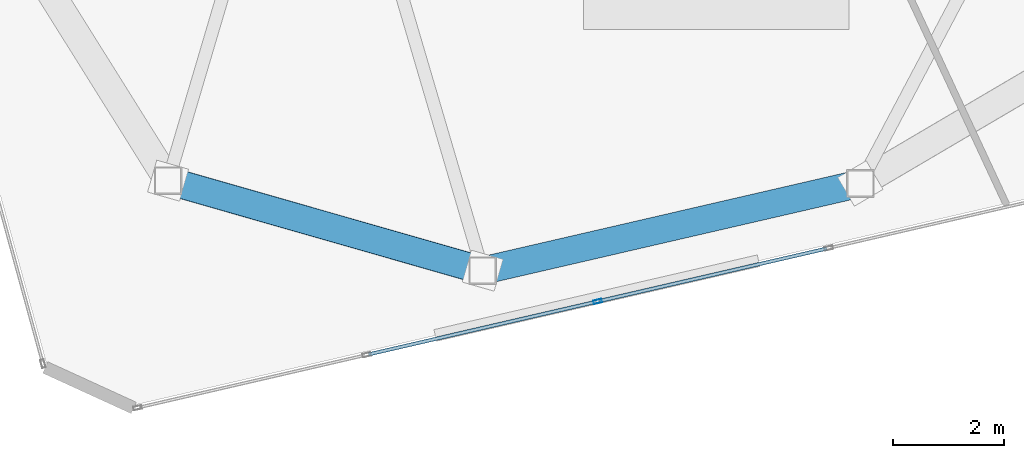
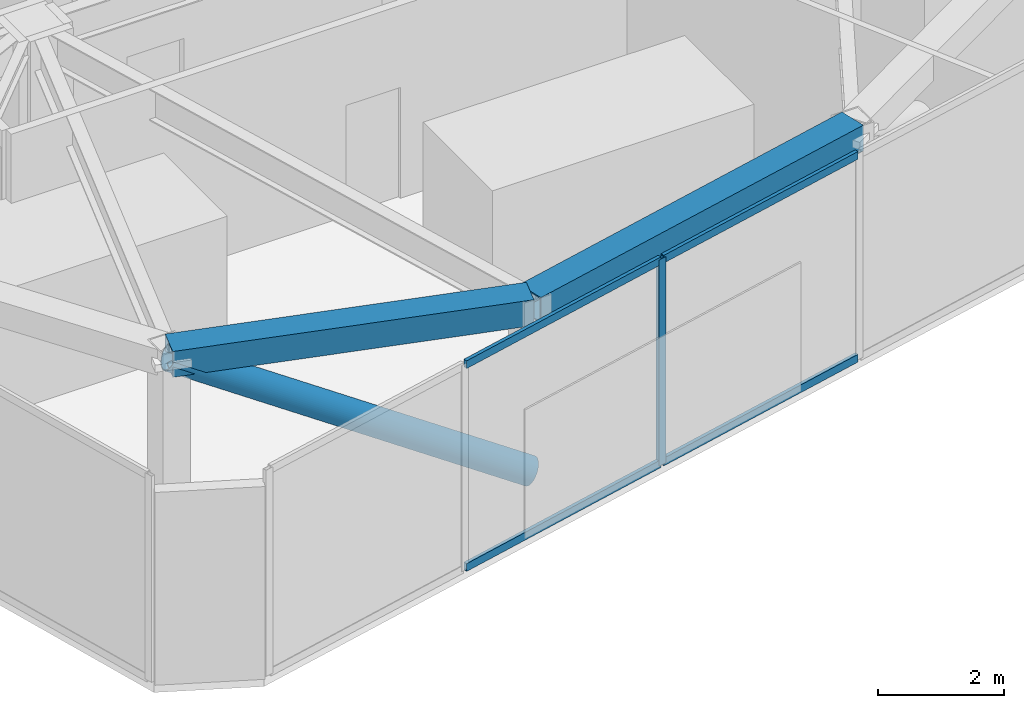
# One storey, part 3 of 21: 6 members, 2 beams, 1 element without a shape of its own.
"""IFC4 building model written with IfcOpenShell, lengths in metres."""

from ifc_helpers import new_model, si_unit, direction, frame, origin, origin_2d, place, context, subcontext, project, spatial, hollow_rectangle, hollow_circle, extrude, source, transform, mapped, material, layer, layer_set, material_profile, profile_set, type_object, type_shapes, element, aggregate, save


model = new_model("IFC4")

# Units and contexts
model_context = context("Model", 3, precision=1e-05, world=origin(), true_north=direction((0.0, 1.0)))
body_context = subcontext(model_context, "Body", "Model", "MODEL_VIEW")
ifc_project = project(units=[si_unit("LENGTHUNIT", "METRE"), si_unit("AREAUNIT", "SQUARE_METRE"), si_unit("VOLUMEUNIT", "CUBIC_METRE"), si_unit("PLANEANGLEUNIT", "RADIAN"), si_unit("MASSUNIT", "GRAM", prefix="KILO")], contexts=[model_context])

# Site, building, storey
site_placement = place(None, origin())
site = spatial("IfcSite", under=ifc_project, at=site_placement, CompositionType="ELEMENT")
building_placement = place(site_placement, origin())
building = spatial("IfcBuilding", under=site, at=building_placement, Name="Talar Marvaseh", CompositionType="ELEMENT")
storey_placement = place(building_placement, frame((0.0, 0.0, 308.0)))
storey = spatial("IfcBuildingStorey", under=building, at=storey_placement, Name="L82", CompositionType="ELEMENT", Elevation=308.0)

# Beams
ifc_material_1 = material(Name="Steel S460", Category="steel")
ifc_material_profile_1 = material_profile(ifc_material_1, hollow_rectangle(XDim=0.5, YDim=0.5, WallThickness=0.02490234375, at=origin_2d()), Name="BOX500x500x25")
ifc_profile_set_1 = profile_set([ifc_material_profile_1], Name="Steel S460")
beam_type = type_object("IfcBeamType", Name="Crown Frame Top Ring Beam BOX500x500x25", PredefinedType="BEAM", material=ifc_profile_set_1)
beam_1_placement = place(storey_placement, frame((28.60498046875, 16.616943359375, 3.489990234375), z_axis=(-0.974361245946, -0.22498924952, 0.0), x_axis=(0.22498924952, -0.974361245946, 0.0)))
element("IfcBeam", 1, at=beam_1_placement, inside=storey, type_object=beam_type, Name="L82 Crown Frame Top Ring Beam BOX500x500x25", PredefinedType="BEAM", context=body_context, shape_type="SweptSolid", body=[
    extrude(hollow_rectangle(XDim=0.5, YDim=0.5, WallThickness=0.02490234375, at=origin_2d()), origin(), (0.0, 0.0, 1.0), 7.0087890625),
])
beam_2_placement = place(storey_placement, frame((21.77587890625, 15.0400390625, 3.489990234375), z_axis=(-0.961411768303, 0.275113452538, 0.0), x_axis=(-0.275113452538, -0.961411768303, 0.0)))
element("IfcBeam", 2, at=beam_2_placement, inside=storey, type_object=beam_type, Name="L82 Crown Frame Top Ring Beam BOX500x500x25", PredefinedType="BEAM", context=body_context, shape_type="SweptSolid", body=[
    extrude(hollow_rectangle(XDim=0.5, YDim=0.5, WallThickness=0.02490234375, at=origin_2d()), origin(), (0.0, 0.0, 1.0), 5.917236328125),
])

# Member
ifc_material_profile_2 = material_profile(ifc_material_1, hollow_circle(Radius=0.25390625, WallThickness=0.02001953125, at=origin_2d()), Name="CHS508x20")
ifc_profile_set_2 = profile_set([ifc_material_profile_2], Name="Steel S460")
member_type_1 = type_object("IfcMemberType", Name="Crown Frame Diagonal Brace CHS508x20", PredefinedType="BRACE", material=ifc_profile_set_2)
shared_shape_1 = source(origin(), body_context, "Body", "SweptSolid", [
    extrude(hollow_circle(Radius=0.25390625, WallThickness=0.02001953125, at=origin_2d()), origin(), (0.0, 0.0, 1.0), 6.746337890625),
])
type_shapes(member_type_1, [shared_shape_1])
member_1_placement = place(storey_placement, frame((21.77587890625, 15.0400390625, 0.25), z_axis=(-0.843276948152, 0.241308500999, 0.480264714571), x_axis=(-0.275113452538, -0.961411768303, 0.0)))
element("IfcMember", 3, at=member_1_placement, inside=storey, type_object=member_type_1, Name="L82 Crown Frame Diagonal Brace 11", PredefinedType="BRACE", context=body_context, shape_type="MappedRepresentation", body=[
    mapped(shared_shape_1, transform((0.0, 0.0, 0.0), x_axis=(1.0, 0.0, 0.0), y_axis=(0.0, 1.0, 0.0), z_axis=(0.0, 0.0, 1.0), scale=1.0)),
])

# Curtain wall, members
ifc_material_2 = material(Name="Architectural Aluminium", Category="aluminium")
ifc_layer = layer(ifc_material_2, 0.2099609375)
ifc_layer_set = layer_set([ifc_layer], Name="Architectural Aluminium")
curtain_wall_type = type_object("IfcCurtainWallType", Name="Crown Plant Acoustic Spandrel Curtain Wall", PredefinedType="NOTDEFINED", material=ifc_layer_set)
curtain_wall_placement = place(storey_placement, origin())
curtain_wall = element("IfcCurtainWall", 4, at=curtain_wall_placement, inside=storey, type_object=curtain_wall_type, Name="L82 Crown Plant Acoustic Spandrel Curtain Wall", PredefinedType="NOTDEFINED")
ifc_material_profile_3 = material_profile(ifc_material_2, hollow_rectangle(XDim=0.06494140625, YDim=0.14990234375, WallThickness=0.00390625, at=origin_2d()), Name="RHS150x65x4")
ifc_profile_set_3 = profile_set([ifc_material_profile_3], Name="Architectural Aluminium")
member_type_2 = type_object("IfcMemberType", Name="Unitised Curtain Wall Slim Transom RHS150x65x4", PredefinedType="USERDEFINED", material=ifc_profile_set_3)
shared_shape_2 = source(origin(), body_context, "Body", "SweptSolid", [
    extrude(hollow_rectangle(XDim=0.06494140625, YDim=0.14990234375, WallThickness=0.00390625, at=origin_2d()), origin(), (0.0, 0.0, 1.0), 4.22119140625),
])
type_shapes(member_type_2, [shared_shape_2])
member_2_placement = place(storey_placement, frame((28.000244140625, 15.44091796875, 0.032470703125), z_axis=(-0.974334626875, -0.225104497673, 0.0), x_axis=(0.225104497673, -0.974334626875, 0.0)))
member_2 = element("IfcMember", 5, at=member_2_placement, type_object=member_type_2, Name="CW-CRN transom 2.1", ObjectType="TRANSOM", PredefinedType="USERDEFINED", context=body_context, shape_type="MappedRepresentation", body=[
    mapped(shared_shape_2, transform((0.0, 0.0, 0.0), x_axis=(1.0, 0.0, 0.0), y_axis=(0.0, 1.0, 0.0), z_axis=(0.0, 0.0, 1.0), scale=1.0)),
])
member_3_placement = place(storey_placement, frame((28.000244140625, 15.44091796875, 3.967529296875), z_axis=(-0.974334626875, -0.225104497673, 0.0), x_axis=(0.225104497673, -0.974334626875, 0.0)))
member_3 = element("IfcMember", 6, at=member_3_placement, type_object=member_type_2, Name="CW-CRN transom 2.2", ObjectType="TRANSOM", PredefinedType="USERDEFINED", context=body_context, shape_type="MappedRepresentation", body=[
    mapped(shared_shape_2, transform((0.0, 0.0, 0.0), x_axis=(1.0, 0.0, 0.0), y_axis=(0.0, 1.0, 0.0), z_axis=(0.0, 0.0, 1.0), scale=1.0)),
])
member_4_placement = place(storey_placement, frame((23.823974609375, 14.47607421875, 0.032470703125), z_axis=(-0.974334626875, -0.225104497673, 0.0), x_axis=(0.225104497673, -0.974334626875, 0.0)))
member_4 = element("IfcMember", 7, at=member_4_placement, type_object=member_type_2, Name="CW-CRN transom 3.1", ObjectType="TRANSOM", PredefinedType="USERDEFINED", context=body_context, shape_type="MappedRepresentation", body=[
    mapped(shared_shape_2, transform((0.0, 0.0, 0.0), x_axis=(1.0, 0.0, 0.0), y_axis=(0.0, 1.0, 0.0), z_axis=(0.0, 0.0, 1.0), scale=1.0)),
])
member_5_placement = place(storey_placement, frame((23.823974609375, 14.47607421875, 3.967529296875), z_axis=(-0.974334626875, -0.225104497673, 0.0), x_axis=(0.225104497673, -0.974334626875, 0.0)))
member_5 = element("IfcMember", 8, at=member_5_placement, type_object=member_type_2, Name="CW-CRN transom 3.2", ObjectType="TRANSOM", PredefinedType="USERDEFINED", context=body_context, shape_type="MappedRepresentation", body=[
    mapped(shared_shape_2, transform((0.0, 0.0, 0.0), x_axis=(1.0, 0.0, 0.0), y_axis=(0.0, 1.0, 0.0), z_axis=(0.0, 0.0, 1.0), scale=1.0)),
])
ifc_material_profile_4 = material_profile(ifc_material_2, hollow_rectangle(XDim=0.06494140625, YDim=0.14990234375, WallThickness=0.00390625, at=origin_2d()), Name="RHS150x65x4")
ifc_profile_set_4 = profile_set([ifc_material_profile_4], Name="Architectural Aluminium")
member_type_3 = type_object("IfcMemberType", Name="Unitised Curtain Wall Slim Mullion RHS150x65x4", PredefinedType="MULLION", material=ifc_profile_set_4)
shared_shape_3 = source(origin(), body_context, "Body", "SweptSolid", [
    extrude(hollow_rectangle(XDim=0.06494140625, YDim=0.14990234375, WallThickness=0.00390625, at=origin_2d()), origin(), (0.0, 0.0, 1.0), 4.0),
])
type_shapes(member_type_3, [shared_shape_3])
member_6_placement = place(storey_placement, frame((23.855712890625, 14.4833984375, 0.0), z_axis=(0.0, 0.0, 1.0), x_axis=(0.225103157943, -0.974334936397, 0.0)))
member_6 = element("IfcMember", 9, at=member_6_placement, type_object=member_type_3, Name="CW-CRN mullion 3", PredefinedType="MULLION", context=body_context, shape_type="MappedRepresentation", body=[
    mapped(shared_shape_3, transform((0.0, 0.0, 0.0), x_axis=(1.0, 0.0, 0.0), y_axis=(0.0, 1.0, 0.0), z_axis=(0.0, 0.0, 1.0), scale=1.0)),
])
aggregate(curtain_wall, [member_6, member_2, member_3, member_4, member_5])

save(model, "model.ifc")
